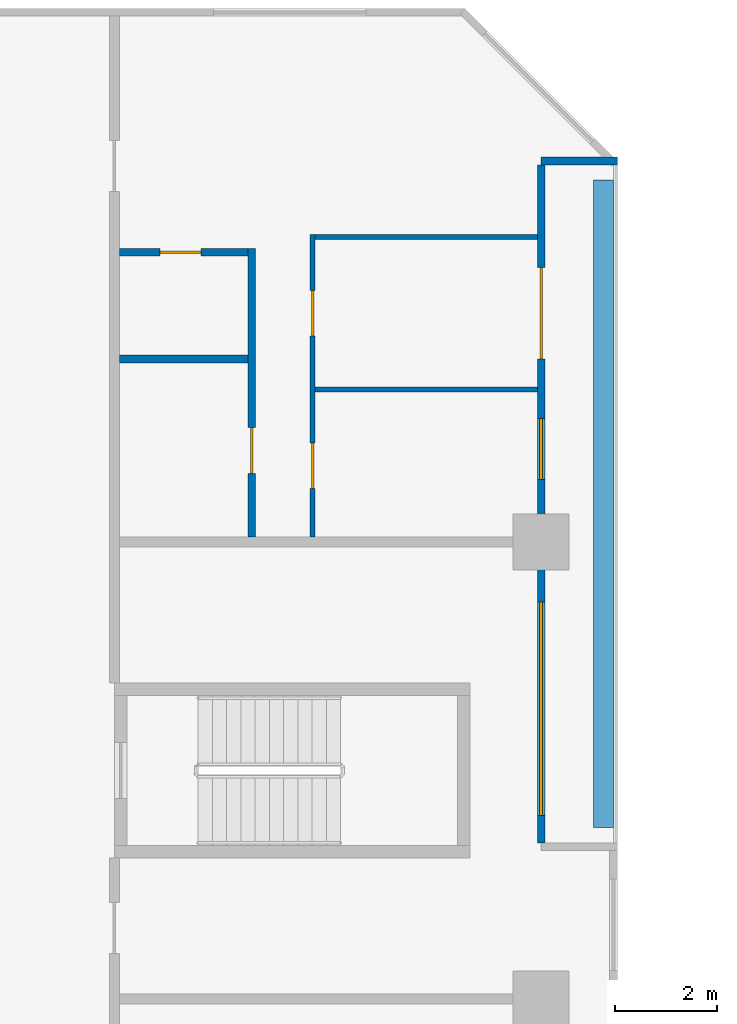
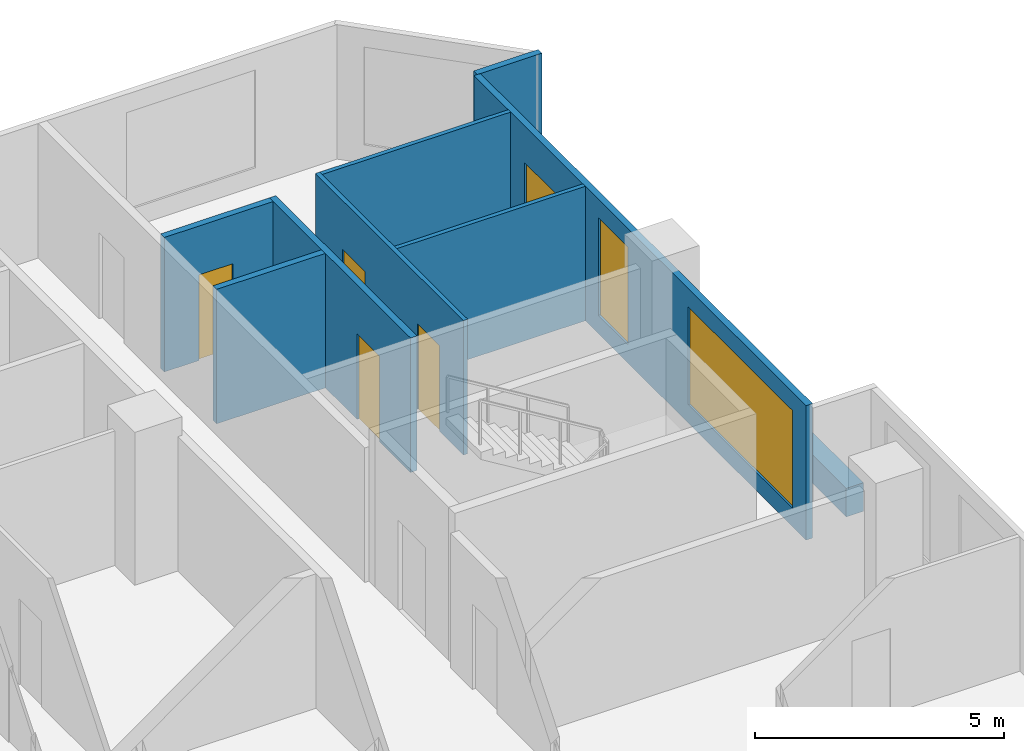
# One storey, part 11 of 16: 9 walls, 5 doors, 2 windows, 7 openings.
"""IFC4 building model written with IfcOpenShell, lengths in metres."""

from ifc_helpers import new_model, si_unit, direction, frame, frame_2d, origin, place, context, subcontext, project, spatial, rectangle, extrude, material, layer, layer_set, type_object, element, fill, save


model = new_model("IFC4")

# Units and contexts
model_context = context("Model", 3, precision=1e-05, world=origin(), true_north=direction((0.0, 1.0)))
body_context = subcontext(model_context, "Body", "Model", "MODEL_VIEW")
ifc_project = project(units=[si_unit("LENGTHUNIT", "METRE"), si_unit("AREAUNIT", "SQUARE_METRE"), si_unit("VOLUMEUNIT", "CUBIC_METRE"), si_unit("PLANEANGLEUNIT", "RADIAN"), si_unit("MASSUNIT", "GRAM", prefix="KILO")], contexts=[model_context])

# Site, building, storey
site_placement = place(None, origin())
site = spatial("IfcSite", under=ifc_project, at=site_placement, CompositionType="ELEMENT")
building_placement = place(site_placement, origin())
building = spatial("IfcBuilding", under=site, at=building_placement, Name="Chenar Terraces", CompositionType="ELEMENT")
storey_placement = place(building_placement, frame((0.0, 0.0, 82.64990234375)))
storey = spatial("IfcBuildingStorey", under=building, at=storey_placement, Name="L18", CompositionType="ELEMENT", Elevation=82.64990234375)

# Wall, openings, windows, door
ifc_material_1 = material(Name="Aluminium framed glazing", Category="aluminium")
ifc_layer_1 = layer(ifc_material_1, 0.14990234375)
ifc_layer_set_1 = layer_set([ifc_layer_1], Name="Aluminium framed glazing")
wall_type_1 = type_object("IfcWallType", Name="Glazed loggia back wall 150", PredefinedType="SOLIDWALL", material=ifc_layer_set_1)
wall_1_placement = place(storey_placement, frame((24.0, 48.074951171875, 0.0), z_axis=(0.0, 0.0, 1.0), x_axis=(0.0, 1.0, 0.0)))
wall_1 = element("IfcWall", 1, at=wall_1_placement, inside=storey, type_object=wall_type_1, Name="Glazed loggia back wall", PredefinedType="SOLIDWALL", context=body_context, shape_type="SweptSolid", body=[
    extrude(rectangle(XDim=13.35009765625, YDim=0.14990234375, at=frame_2d((6.675048828125, 0.0))), origin(), (0.0, 0.0, 1.0), 3.300048828125),
])
opening_1_placement = place(wall_1_placement, frame((0.53759765625, 0.0, 0.449951171875)))
opening_1 = element("IfcOpeningElement", 2, at=opening_1_placement, cuts=wall_1, Name="Opening W420x240", PredefinedType="OPENING", context=body_context, shape_type="SweptSolid", body=[
    extrude(rectangle(XDim=4.199951171875, YDim=2.39990234375, at=frame_2d((2.10009765625, 1.199951171875))), frame((0.0, 0.0849609375, 0.0), z_axis=(0.0, -1.0, 0.0), x_axis=(1.0, 0.0, 0.0)), (0.0, 0.0, 1.0), 0.169921875),
])
opening_2_placement = place(wall_1_placement, frame((7.14990234375, 0.0, 0.449951171875)))
opening_2 = element("IfcOpeningElement", 3, at=opening_2_placement, cuts=wall_1, Name="Opening W120x240", PredefinedType="OPENING", context=body_context, shape_type="SweptSolid", body=[
    extrude(rectangle(XDim=1.199951171875, YDim=2.39990234375, at=frame_2d((0.60009765625, 1.199951171875))), frame((0.0, 0.0849609375, 0.0), z_axis=(0.0, -1.0, 0.0), x_axis=(1.0, 0.0, 0.0)), (0.0, 0.0, 1.0), 0.169921875),
])
opening_3_placement = place(wall_1_placement, frame((9.52490234375, 0.0, 0.0)))
opening_3 = element("IfcOpeningElement", 4, at=opening_3_placement, cuts=wall_1, Name="Opening DL18-G1", PredefinedType="OPENING", context=body_context, shape_type="SweptSolid", body=[
    extrude(rectangle(XDim=1.800048828125, YDim=2.39990234375, at=frame_2d((0.89990234375, 1.199951171875))), frame((0.0, 0.0849609375, 0.0), z_axis=(0.0, -1.0, 0.0), x_axis=(1.0, 0.0, 0.0)), (0.0, 0.0, 1.0), 0.169921875),
])
ifc_material_2 = material(Name="Low emissivity double glazing, aluminium frame", Category="aluminium")
window_type_1 = type_object("IfcWindowType", Name="Fixed light 1200 x 2400", PartitioningType="SINGLE_PANEL", PredefinedType="WINDOW", material=ifc_material_2)
window_1_placement = place(opening_2_placement, origin())
window_1 = element("IfcWindow", 5, at=window_1_placement, inside=storey, type_object=window_type_1, Name="Window", OverallHeight=2.39990234375, OverallWidth=1.199951171875, PartitioningType="SINGLE_PANEL", PredefinedType="WINDOW", context=body_context, shape_type="SweptSolid", body=[
    extrude(rectangle(XDim=1.199951171875, YDim=2.39990234375, at=frame_2d((0.60009765625, 1.199951171875))), frame((0.0, 0.030029296875, 0.0), z_axis=(0.0, -1.0, 0.0), x_axis=(1.0, 0.0, 0.0)), (0.0, 0.0, 1.0), 0.06005859375),
])
fill(opening_2, window_1)
ifc_material_3 = material(Name="Low emissivity double glazing, aluminium frame", Category="aluminium")
window_type_2 = type_object("IfcWindowType", Name="Fixed light 4200 x 2400", PartitioningType="SINGLE_PANEL", PredefinedType="WINDOW", material=ifc_material_3)
window_2_placement = place(opening_1_placement, origin())
window_2 = element("IfcWindow", 6, at=window_2_placement, inside=storey, type_object=window_type_2, Name="Window", OverallHeight=2.39990234375, OverallWidth=4.199951171875, PartitioningType="SINGLE_PANEL", PredefinedType="WINDOW", context=body_context, shape_type="SweptSolid", body=[
    extrude(rectangle(XDim=4.199951171875, YDim=2.39990234375, at=frame_2d((2.10009765625, 1.199951171875))), frame((0.0, 0.030029296875, 0.0), z_axis=(0.0, -1.0, 0.0), x_axis=(1.0, 0.0, 0.0)), (0.0, 0.0, 1.0), 0.06005859375),
])
fill(opening_1, window_2)
ifc_material_4 = material(Name="Low emissivity double glazing, aluminium frame", Category="aluminium")
door_type_1 = type_object("IfcDoorType", Name="Loggia glazed double door 1800 x 2400", OperationType="DOUBLE_DOOR_SINGLE_SWING", PredefinedType="DOOR", material=ifc_material_4)
door_1_placement = place(opening_3_placement, frame((1.800048828125, 0.0, 0.0), z_axis=(0.0, 0.0, 1.0), x_axis=(-1.0, 0.0, 0.0)))
door_1 = element("IfcDoor", 7, at=door_1_placement, inside=storey, type_object=door_type_1, Name="Loggia glazed door", OperationType="DOUBLE_DOOR_SINGLE_SWING", OverallHeight=2.39990234375, OverallWidth=1.800048828125, PredefinedType="DOOR", context=body_context, shape_type="SweptSolid", body=[
    extrude(rectangle(XDim=1.800048828125, YDim=2.39990234375, at=frame_2d((0.89990234375, 1.199951171875))), frame((0.0, 0.02490234375, 0.0), z_axis=(0.0, -1.0, 0.0), x_axis=(1.0, 0.0, 0.0)), (0.0, 0.0, 1.0), 0.050048828125),
])
fill(opening_3, door_1)

# Wall, openings, doors
ifc_material_5 = material(Name="Gypsum board on steel studs", Category="steel")
ifc_layer_2 = layer(ifc_material_5, 0.10009765625)
ifc_layer_set_2 = layer_set([ifc_layer_2], Name="Gypsum board on steel studs")
wall_type_2 = type_object("IfcWallType", Name="Gypsum partition 100", PredefinedType="PARTITIONING", material=ifc_layer_set_2)
wall_2_placement = place(storey_placement, frame((19.5, 54.10009765625, 0.0), z_axis=(0.0, 0.0, 1.0), x_axis=(0.0, 1.0, 0.0)))
wall_2 = element("IfcWall", 8, at=wall_2_placement, inside=storey, type_object=wall_type_2, Name="Partition L18-051", PredefinedType="PARTITIONING", context=body_context, shape_type="SweptSolid", body=[
    extrude(rectangle(XDim=5.949951171875, YDim=0.10009765625, at=frame_2d((2.97509765625, 0.0))), origin(), (0.0, 0.0, 1.0), 3.300048828125),
])
opening_4_placement = place(wall_2_placement, frame((0.949951171875, 0.0, 0.0)))
opening_4 = element("IfcOpeningElement", 9, at=opening_4_placement, cuts=wall_2, Name="Opening DL18-36", PredefinedType="OPENING", context=body_context, shape_type="SweptSolid", body=[
    extrude(rectangle(XDim=0.89990234375, YDim=2.10009765625, at=frame_2d((0.449951171875, 1.050048828125))), frame((0.0, 0.06005859375, 0.0), z_axis=(0.0, -1.0, 0.0), x_axis=(1.0, 0.0, 0.0)), (0.0, 0.0, 1.0), 0.1201171875),
])
opening_5_placement = place(wall_2_placement, frame((3.949951171875, 0.0, 0.0)))
opening_5 = element("IfcOpeningElement", 10, at=opening_5_placement, cuts=wall_2, Name="Opening DL18-37", PredefinedType="OPENING", context=body_context, shape_type="SweptSolid", body=[
    extrude(rectangle(XDim=0.89990234375, YDim=2.10009765625, at=frame_2d((0.449951171875, 1.050048828125))), frame((0.0, 0.06005859375, 0.0), z_axis=(0.0, -1.0, 0.0), x_axis=(1.0, 0.0, 0.0)), (0.0, 0.0, 1.0), 0.1201171875),
])
ifc_material_6 = material(Name="Veneered timber door leaf", Category="wood")
door_type_2 = type_object("IfcDoorType", Name="Door 900 x 2100", OperationType="SINGLE_SWING_LEFT", PredefinedType="DOOR", material=ifc_material_6)
door_2_placement = place(opening_4_placement, frame((0.89990234375, 0.0, 0.0), z_axis=(0.0, 0.0, 1.0), x_axis=(-1.0, 0.0, 0.0)))
door_2 = element("IfcDoor", 11, at=door_2_placement, inside=storey, type_object=door_type_2, Name="Door DL18-36", OperationType="SINGLE_SWING_LEFT", OverallHeight=2.10009765625, OverallWidth=0.89990234375, PredefinedType="DOOR", context=body_context, shape_type="SweptSolid", body=[
    extrude(rectangle(XDim=0.89990234375, YDim=2.10009765625, at=frame_2d((0.449951171875, 1.050048828125))), frame((0.0, 0.02490234375, 0.0), z_axis=(0.0, -1.0, 0.0), x_axis=(1.0, 0.0, 0.0)), (0.0, 0.0, 1.0), 0.050048828125),
])
fill(opening_4, door_2)
door_3_placement = place(opening_5_placement, frame((0.89990234375, 0.0, 0.0), z_axis=(0.0, 0.0, 1.0), x_axis=(-1.0, 0.0, 0.0)))
door_3 = element("IfcDoor", 12, at=door_3_placement, inside=storey, type_object=door_type_2, Name="Door DL18-37", OperationType="SINGLE_SWING_LEFT", OverallHeight=2.10009765625, OverallWidth=0.89990234375, PredefinedType="DOOR", context=body_context, shape_type="SweptSolid", body=[
    extrude(rectangle(XDim=0.89990234375, YDim=2.10009765625, at=frame_2d((0.449951171875, 1.050048828125))), frame((0.0, 0.02490234375, 0.0), z_axis=(0.0, -1.0, 0.0), x_axis=(1.0, 0.0, 0.0)), (0.0, 0.0, 1.0), 0.050048828125),
])
fill(opening_5, door_3)

# Walls
for number, where, z_axis, x_axis, name in (
    (13, (19.550048828125, 57.0, 0.0), (0.0, 0.0, 1.0), (1.0, 0.0, 0.0), "Partition L18-052"),
    (14, (19.550048828125, 60.0, 0.0), (0.0, 0.0, 1.0), (1.0, 0.0, 0.0), "Partition L18-053"),
):
    element("IfcWall", number, at=place(storey_placement, frame(where, z_axis=z_axis, x_axis=x_axis)), inside=storey, type_object=wall_type_2, Name=name, PredefinedType="PARTITIONING", context=body_context, shape_type="SweptSolid", body=[
        extrude(rectangle(XDim=4.3759765625, YDim=0.10009765625, at=frame_2d((2.18798828125, 0.0))), origin(), (0.0, 0.0, 1.0), 3.300048828125),
    ])
ifc_material_7 = material(Name="Terracotta cladding on insulated backing", Category="masonry")
ifc_layer_3 = layer(ifc_material_7, 0.14990234375)
ifc_layer_set_3 = layer_set([ifc_layer_3], Name="Terracotta cladding on insulated backing")
wall_type_3 = type_object("IfcWallType", Name="Loggia return wall 150", PredefinedType="SOLIDWALL", material=ifc_layer_set_3)
wall_3_placement = place(storey_placement, frame((25.5, 61.5, 0.0), z_axis=(0.0, 0.0, 1.0), x_axis=(-1.0, 0.0, 0.0)))
element("IfcWall", 15, at=wall_3_placement, inside=storey, type_object=wall_type_3, Name="Loggia return wall", PredefinedType="SOLIDWALL", context=body_context, shape_type="SweptSolid", body=[
    extrude(rectangle(XDim=1.5, YDim=0.14990234375, at=frame_2d((0.75, 0.0))), origin(), (0.0, 0.0, 1.0), 3.300048828125),
])
ifc_material_8 = material(Name="GRP planter trough")
ifc_layer_4 = layer(ifc_material_8, 0.39990234375)
ifc_layer_set_4 = layer_set([ifc_layer_4], Name="GRP planter trough")
wall_type_4 = type_object("IfcWallType", Name="Vertical greenery planter 400", PredefinedType="SOLIDWALL", material=ifc_layer_set_4)
wall_4_placement = place(storey_placement, frame((25.22900390625, 48.375, 0.0), z_axis=(0.0, 0.0, 1.0), x_axis=(0.0, 1.0, 0.0)))
element("IfcWall", 16, at=wall_4_placement, inside=storey, type_object=wall_type_4, Name="Vertical greenery planter", PredefinedType="SOLIDWALL", context=body_context, shape_type="SweptSolid", body=[
    extrude(rectangle(XDim=12.75, YDim=0.39990234375, at=frame_2d((6.375, 0.0))), origin(), (0.0, 0.0, 1.0), 0.7001953125),
])
ifc_material_9 = material(Name="Moisture-resistant gypsum board on steel studs", Category="steel")
ifc_layer_5 = layer(ifc_material_9, 0.14990234375)
ifc_layer_set_5 = layer_set([ifc_layer_5], Name="Moisture-resistant gypsum board on steel studs")
wall_type_5 = type_object("IfcWallType", Name="Wet-room partition 150", PredefinedType="PARTITIONING", material=ifc_layer_set_5)
wall_5_placement = place(storey_placement, frame((15.699951171875, 57.60009765625, 0.0), z_axis=(0.0, 0.0, 1.0), x_axis=(1.0, 0.0, 0.0)))
element("IfcWall", 17, at=wall_5_placement, inside=storey, type_object=wall_type_5, Name="Partition L18-046", PredefinedType="PARTITIONING", context=body_context, shape_type="SweptSolid", body=[
    extrude(rectangle(XDim=2.525146484375, YDim=0.14990234375, at=frame_2d((1.2626953125, 0.0))), origin(), (0.0, 0.0, 1.0), 3.300048828125),
])

# Wall, opening, door
wall_6_placement = place(storey_placement, frame((15.699951171875, 59.699951171875, 0.0), z_axis=(0.0, 0.0, 1.0), x_axis=(1.0, 0.0, 0.0)))
wall_6 = element("IfcWall", 18, at=wall_6_placement, inside=storey, type_object=wall_type_5, Name="Partition L18-047", PredefinedType="PARTITIONING", context=body_context, shape_type="SweptSolid", body=[
    extrude(rectangle(XDim=2.525146484375, YDim=0.14990234375, at=frame_2d((1.2626953125, 0.0))), origin(), (0.0, 0.0, 1.0), 3.300048828125),
])
opening_6_placement = place(wall_6_placement, frame((0.800048828125, 0.0, 0.0)))
opening_6 = element("IfcOpeningElement", 19, at=opening_6_placement, cuts=wall_6, Name="Opening DL18-35", PredefinedType="OPENING", context=body_context, shape_type="SweptSolid", body=[
    extrude(rectangle(XDim=0.800048828125, YDim=2.10009765625, at=frame_2d((0.39990234375, 1.050048828125))), frame((0.0, 0.0849609375, 0.0), z_axis=(0.0, -1.0, 0.0), x_axis=(1.0, 0.0, 0.0)), (0.0, 0.0, 1.0), 0.169921875),
])
ifc_material_10 = material(Name="Veneered timber door leaf", Category="wood")
door_type_3 = type_object("IfcDoorType", Name="Door 800 x 2100", OperationType="SINGLE_SWING_LEFT", PredefinedType="DOOR", material=ifc_material_10)
door_4_placement = place(opening_6_placement, frame((0.800048828125, 0.0, 0.0), z_axis=(0.0, 0.0, 1.0), x_axis=(-1.0, 0.0, 0.0)))
door_4 = element("IfcDoor", 20, at=door_4_placement, inside=storey, type_object=door_type_3, Name="Door DL18-35", OperationType="SINGLE_SWING_RIGHT", OverallHeight=2.10009765625, OverallWidth=0.800048828125, PredefinedType="DOOR", context=body_context, shape_type="SweptSolid", body=[
    extrude(rectangle(XDim=0.800048828125, YDim=2.10009765625, at=frame_2d((0.39990234375, 1.050048828125))), frame((0.0, 0.02490234375, 0.0), z_axis=(0.0, -1.0, 0.0), x_axis=(1.0, 0.0, 0.0)), (0.0, 0.0, 1.0), 0.050048828125),
])
fill(opening_6, door_4)

wall_7_placement = place(storey_placement, frame((18.300048828125, 54.10009765625, 0.0), z_axis=(0.0, 0.0, 1.0), x_axis=(0.0, 1.0, 0.0)))
wall_7 = element("IfcWall", 21, at=wall_7_placement, inside=storey, type_object=wall_type_5, Name="Partition L18-049", PredefinedType="PARTITIONING", context=body_context, shape_type="SweptSolid", body=[
    extrude(rectangle(XDim=5.6748046875, YDim=0.14990234375, at=frame_2d((2.83740234375, 0.0))), origin(), (0.0, 0.0, 1.0), 3.300048828125),
])
opening_7_placement = place(wall_7_placement, frame((1.25, 0.0, 0.0)))
opening_7 = element("IfcOpeningElement", 22, at=opening_7_placement, cuts=wall_7, Name="Opening DL18-38", PredefinedType="OPENING", context=body_context, shape_type="SweptSolid", body=[
    extrude(rectangle(XDim=0.89990234375, YDim=2.10009765625, at=frame_2d((0.449951171875, 1.050048828125))), frame((0.0, 0.0849609375, 0.0), z_axis=(0.0, -1.0, 0.0), x_axis=(1.0, 0.0, 0.0)), (0.0, 0.0, 1.0), 0.169921875),
])
door_5_placement = place(opening_7_placement, origin())
door_5 = element("IfcDoor", 23, at=door_5_placement, inside=storey, type_object=door_type_2, Name="Door DL18-38", OperationType="SINGLE_SWING_RIGHT", OverallHeight=2.10009765625, OverallWidth=0.89990234375, PredefinedType="DOOR", context=body_context, shape_type="SweptSolid", body=[
    extrude(rectangle(XDim=0.89990234375, YDim=2.10009765625, at=frame_2d((0.449951171875, 1.050048828125))), frame((0.0, 0.02490234375, 0.0), z_axis=(0.0, -1.0, 0.0), x_axis=(1.0, 0.0, 0.0)), (0.0, 0.0, 1.0), 0.050048828125),
])
fill(opening_7, door_5)

save(model, "model.ifc")
